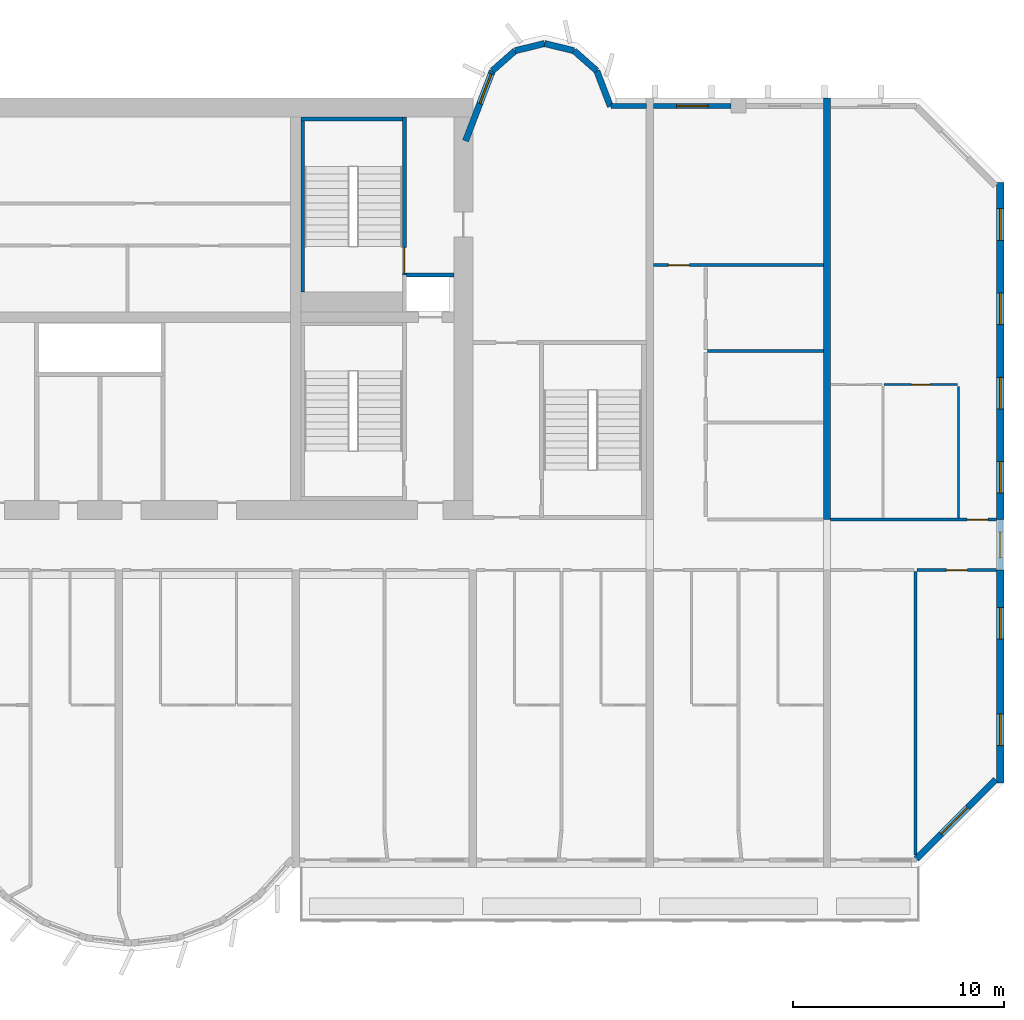
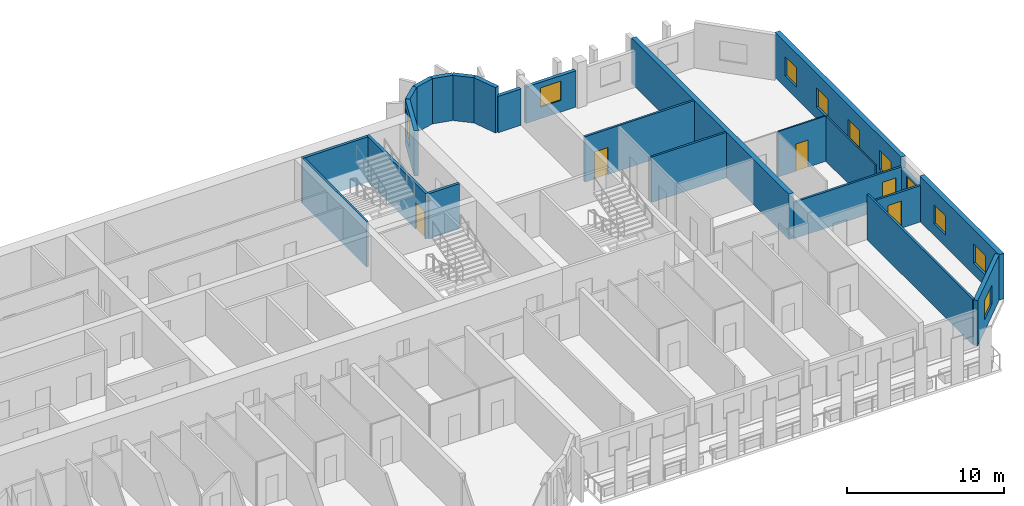
# One storey, part 10 of 14: 24 walls, 10 windows, 5 doors, 15 openings.
"""IFC4 building model written with IfcOpenShell, lengths in metres."""

from ifc_helpers import new_model, si_unit, direction, frame, frame_2d, origin, place, context, subcontext, project, spatial, rectangle, extrude, source, transform, mapped, material, layer, layer_set, type_object, element, fill, save


model = new_model("IFC4")

# Units and contexts
model_context = context("Model", 3, precision=1e-05, world=origin(), true_north=direction((0.0, 1.0)))
body_context = subcontext(model_context, "Body", "Model", "MODEL_VIEW")
ifc_project = project(units=[si_unit("LENGTHUNIT", "METRE"), si_unit("AREAUNIT", "SQUARE_METRE"), si_unit("VOLUMEUNIT", "CUBIC_METRE"), si_unit("PLANEANGLEUNIT", "RADIAN"), si_unit("MASSUNIT", "GRAM", prefix="KILO")], contexts=[model_context])

# Site, building, storey
site_placement = place(None, origin())
site = spatial("IfcSite", under=ifc_project, at=site_placement, CompositionType="ELEMENT")
building_placement = place(site_placement, origin())
building = spatial("IfcBuilding", under=site, at=building_placement, Name="Vanashikhar Sky Hotel", CompositionType="ELEMENT")
storey_placement = place(building_placement, frame((0.0, 0.0, 129.39990234375)))
storey = spatial("IfcBuildingStorey", under=building, at=storey_placement, Name="L31", CompositionType="ELEMENT", Elevation=129.39990234375)

# Wall, openings, windows
ifc_material_1 = material(Name="Concrete M70", Category="concrete")
ifc_layer_1 = layer(ifc_material_1, 0.35009765625)
ifc_layer_set_1 = layer_set([ifc_layer_1], Name="RC shear wall 350 Concrete M70")
wall_type_1 = type_object("IfcWallType", Name="RC shear wall 350 Concrete M70", PredefinedType="SHEAR", material=ifc_layer_set_1)
shared_shape_1 = source(origin(), body_context, "Body", "SweptSolid", [
    extrude(rectangle(XDim=10.10009765625, YDim=0.35009765625, at=frame_2d((5.050048828125, 0.0))), origin(), (0.0, 0.0, 1.0), 3.52001953125),
])
wall_1_placement = place(storey_placement, frame((100.625, 9.5, 0.0), z_axis=(0.0, 0.0, 1.0), x_axis=(0.0, 1.0, 0.0)))
wall_1 = element("IfcWall", 1, at=wall_1_placement, inside=storey, type_object=wall_type_1, Name="CW-L31-XW13-1", PredefinedType="SHEAR", context=body_context, shape_type="MappedRepresentation", body=[
    mapped(shared_shape_1, transform((0.0, 0.0, 0.0), scale=1.0)),
])
shared_shape_2 = source(origin(), body_context, "Body", "SweptSolid", [
    extrude(rectangle(XDim=1.5, YDim=1.5, at=frame_2d((0.75, 0.75))), frame((0.0, 0.18505859375, 0.0), z_axis=(0.0, -1.0, 0.0), x_axis=(1.0, 0.0, 0.0)), (0.0, 0.0, 1.0), 0.3701171875),
])
opening_1_placement = place(wall_1_placement, frame((1.77490234375, 0.0, 0.89990234375)))
opening_1 = element("IfcOpeningElement", 2, at=opening_1_placement, cuts=wall_1, Name="Opening WN-1", PredefinedType="OPENING", context=body_context, shape_type="MappedRepresentation", body=[
    mapped(shared_shape_2, transform((0.0, 0.0, 0.0), scale=1.0)),
])
opening_2_placement = place(wall_1_placement, frame((6.824951171875, 0.0, 0.89990234375)))
opening_2 = element("IfcOpeningElement", 3, at=opening_2_placement, cuts=wall_1, Name="Opening WN-1", PredefinedType="OPENING", context=body_context, shape_type="MappedRepresentation", body=[
    mapped(shared_shape_2, transform((0.0, 0.0, 0.0), scale=1.0)),
])
ifc_material_2 = material(Name="Glass", Category="glass")
window_type_1 = type_object("IfcWindowType", Name="Window 1500 x 1500", PartitioningType="SINGLE_PANEL", PredefinedType="WINDOW", material=ifc_material_2)
shared_shape_3 = source(origin(), body_context, "Body", "SweptSolid", [
    extrude(rectangle(XDim=1.5, YDim=1.5, at=frame_2d((0.75, 0.75))), frame((0.0, 0.030029296875, 0.0), z_axis=(0.0, -1.0, 0.0), x_axis=(1.0, 0.0, 0.0)), (0.0, 0.0, 1.0), 0.06005859375),
])
window_1_placement = place(opening_1_placement, origin())
window_1 = element("IfcWindow", 4, at=window_1_placement, inside=storey, type_object=window_type_1, Name="Window WN-1", OverallHeight=1.5, OverallWidth=1.5, PartitioningType="SINGLE_PANEL", PredefinedType="WINDOW", context=body_context, shape_type="MappedRepresentation", body=[
    mapped(shared_shape_3, transform((0.0, 0.0, 0.0), scale=1.0)),
])
fill(opening_1, window_1)
window_2_placement = place(opening_2_placement, origin())
window_2 = element("IfcWindow", 5, at=window_2_placement, inside=storey, type_object=window_type_1, Name="Window WN-1", OverallHeight=1.5, OverallWidth=1.5, PartitioningType="SINGLE_PANEL", PredefinedType="WINDOW", context=body_context, shape_type="MappedRepresentation", body=[
    mapped(shared_shape_3, transform((0.0, 0.0, 0.0), scale=1.0)),
])
fill(opening_2, window_2)

shared_shape_4 = source(origin(), body_context, "Body", "SweptSolid", [
    extrude(rectangle(XDim=16.0, YDim=0.35009765625, at=frame_2d((8.0, 0.0))), origin(), (0.0, 0.0, 1.0), 3.52001953125),
])
wall_2_placement = place(storey_placement, frame((100.625, 22.0, 0.0), z_axis=(0.0, 0.0, 1.0), x_axis=(0.0, 1.0, 0.0)))
wall_2 = element("IfcWall", 6, at=wall_2_placement, inside=storey, type_object=wall_type_1, Name="CW-L31-XW13-2", PredefinedType="SHEAR", context=body_context, shape_type="MappedRepresentation", body=[
    mapped(shared_shape_4, transform((0.0, 0.0, 0.0), scale=1.0)),
])
opening_3_placement = place(wall_2_placement, frame((1.25, 0.0, 0.89990234375)))
opening_3 = element("IfcOpeningElement", 7, at=opening_3_placement, cuts=wall_2, Name="Opening WN-1", PredefinedType="OPENING", context=body_context, shape_type="MappedRepresentation", body=[
    mapped(shared_shape_2, transform((0.0, 0.0, 0.0), scale=1.0)),
])
opening_4_placement = place(wall_2_placement, frame((5.25, 0.0, 0.89990234375)))
opening_4 = element("IfcOpeningElement", 8, at=opening_4_placement, cuts=wall_2, Name="Opening WN-1", PredefinedType="OPENING", context=body_context, shape_type="MappedRepresentation", body=[
    mapped(shared_shape_2, transform((0.0, 0.0, 0.0), scale=1.0)),
])
opening_5_placement = place(wall_2_placement, frame((9.25, 0.0, 0.89990234375)))
opening_5 = element("IfcOpeningElement", 9, at=opening_5_placement, cuts=wall_2, Name="Opening WN-1", PredefinedType="OPENING", context=body_context, shape_type="MappedRepresentation", body=[
    mapped(shared_shape_2, transform((0.0, 0.0, 0.0), scale=1.0)),
])
opening_6_placement = place(wall_2_placement, frame((13.25, 0.0, 0.89990234375)))
opening_6 = element("IfcOpeningElement", 10, at=opening_6_placement, cuts=wall_2, Name="Opening WN-1", PredefinedType="OPENING", context=body_context, shape_type="MappedRepresentation", body=[
    mapped(shared_shape_2, transform((0.0, 0.0, 0.0), scale=1.0)),
])
window_3_placement = place(opening_3_placement, origin())
window_3 = element("IfcWindow", 11, at=window_3_placement, inside=storey, type_object=window_type_1, Name="Window WN-1", OverallHeight=1.5, OverallWidth=1.5, PartitioningType="SINGLE_PANEL", PredefinedType="WINDOW", context=body_context, shape_type="MappedRepresentation", body=[
    mapped(shared_shape_3, transform((0.0, 0.0, 0.0), scale=1.0)),
])
fill(opening_3, window_3)
window_4_placement = place(opening_4_placement, origin())
window_4 = element("IfcWindow", 12, at=window_4_placement, inside=storey, type_object=window_type_1, Name="Window WN-1", OverallHeight=1.5, OverallWidth=1.5, PartitioningType="SINGLE_PANEL", PredefinedType="WINDOW", context=body_context, shape_type="MappedRepresentation", body=[
    mapped(shared_shape_3, transform((0.0, 0.0, 0.0), scale=1.0)),
])
fill(opening_4, window_4)
window_5_placement = place(opening_5_placement, origin())
window_5 = element("IfcWindow", 13, at=window_5_placement, inside=storey, type_object=window_type_1, Name="Window WN-1", OverallHeight=1.5, OverallWidth=1.5, PartitioningType="SINGLE_PANEL", PredefinedType="WINDOW", context=body_context, shape_type="MappedRepresentation", body=[
    mapped(shared_shape_3, transform((0.0, 0.0, 0.0), scale=1.0)),
])
fill(opening_5, window_5)
window_6_placement = place(opening_6_placement, origin())
window_6 = element("IfcWindow", 14, at=window_6_placement, inside=storey, type_object=window_type_1, Name="Window WN-1", OverallHeight=1.5, OverallWidth=1.5, PartitioningType="SINGLE_PANEL", PredefinedType="WINDOW", context=body_context, shape_type="MappedRepresentation", body=[
    mapped(shared_shape_3, transform((0.0, 0.0, 0.0), scale=1.0)),
])
fill(opening_6, window_6)

# Wall
shared_shape_5 = source(origin(), body_context, "Body", "SweptSolid", [
    extrude(rectangle(XDim=20.0, YDim=0.35009765625, at=frame_2d((10.0, 0.0))), origin(), (0.0, 0.0, 1.0), 3.52001953125),
])
wall_3_placement = place(storey_placement, frame((92.39990234375, 22.0, 0.0), z_axis=(0.0, 0.0, 1.0), x_axis=(0.0, 1.0, 0.0)))
element("IfcWall", 15, at=wall_3_placement, inside=storey, type_object=wall_type_1, Name="CW-L31-XW12-2", PredefinedType="SHEAR", context=body_context, shape_type="MappedRepresentation", body=[
    mapped(shared_shape_5, transform((0.0, 0.0, 0.0), scale=1.0)),
])

# Wall, opening, window
ifc_material_3 = material(Name="Concrete M50", Category="concrete")
ifc_layer_2 = layer(ifc_material_3, 0.300048828125)
ifc_layer_set_2 = layer_set([ifc_layer_2], Name="Lobe wall 300")
wall_type_2 = type_object("IfcWallType", Name="Lobe wall 300", PredefinedType="SOLIDWALL", material=ifc_layer_set_2)
shared_shape_6 = source(origin(), body_context, "Body", "SweptSolid", [
    extrude(rectangle(XDim=5.32568359375, YDim=0.300048828125, at=frame_2d((2.662841796875, 0.0))), origin(), (0.0, 0.0, 1.0), 3.52001953125),
])
wall_4_placement = place(storey_placement, frame((96.63427734375, 5.89990234375, 0.0), z_axis=(0.0, 0.0, 1.0), x_axis=(0.707083859269, 0.707129702361, 0.0)))
wall_4 = element("IfcWall", 16, at=wall_4_placement, inside=storey, type_object=wall_type_2, Name="Corner wall", PredefinedType="SOLIDWALL", context=body_context, shape_type="MappedRepresentation", body=[
    mapped(shared_shape_6, transform((0.0, 0.0, 0.0), scale=1.0)),
])
shared_shape_7 = source(origin(), body_context, "Body", "SweptSolid", [
    extrude(rectangle(XDim=1.800048828125, YDim=1.5, at=frame_2d((0.89990234375, 0.75))), frame((0.0, 0.16015625, 0.0), z_axis=(0.0, -1.0, 0.0), x_axis=(1.0, 0.0, 0.0)), (0.0, 0.0, 1.0), 0.320068359375),
])
opening_7_placement = place(wall_4_placement, frame((1.671875, 0.0, 0.89990234375)))
opening_7 = element("IfcOpeningElement", 17, at=opening_7_placement, cuts=wall_4, Name="Opening WN-4", PredefinedType="OPENING", context=body_context, shape_type="MappedRepresentation", body=[
    mapped(shared_shape_7, transform((0.0, 0.0, 0.0), scale=1.0)),
])
window_type_2 = type_object("IfcWindowType", Name="Corner window 1800 x 1500", PartitioningType="SINGLE_PANEL", PredefinedType="WINDOW", material=ifc_material_2)
shared_shape_8 = source(origin(), body_context, "Body", "SweptSolid", [
    extrude(rectangle(XDim=1.800048828125, YDim=1.5, at=frame_2d((0.89990234375, 0.75))), frame((0.0, 0.030029296875, 0.0), z_axis=(0.0, -1.0, 0.0), x_axis=(1.0, 0.0, 0.0)), (0.0, 0.0, 1.0), 0.06005859375),
])
window_7_placement = place(opening_7_placement, origin())
window_7 = element("IfcWindow", 18, at=window_7_placement, inside=storey, type_object=window_type_2, Name="Window WN-4", OverallHeight=1.5, OverallWidth=1.800048828125, PartitioningType="SINGLE_PANEL", PredefinedType="WINDOW", context=body_context, shape_type="MappedRepresentation", body=[
    mapped(shared_shape_8, transform((0.0, 0.0, 0.0), scale=1.0)),
])
fill(opening_7, window_7)

shared_shape_9 = source(origin(), body_context, "Body", "SweptSolid", [
    extrude(rectangle(XDim=3.55908203125, YDim=0.300048828125, at=frame_2d((1.779541015625, 0.0))), origin(), (0.0, 0.0, 1.0), 3.52001953125),
])
wall_5_placement = place(storey_placement, frame((76.5234375, 43.2919921875, 0.0), z_axis=(0.0, 0.0, 1.0), x_axis=(-0.35779745313, -0.933799219604, 0.0)))
wall_5 = element("IfcWall", 19, at=wall_5_placement, inside=storey, type_object=wall_type_2, Name="Lobe wall", PredefinedType="SOLIDWALL", context=body_context, shape_type="MappedRepresentation", body=[
    mapped(shared_shape_9, transform((0.0, 0.0, 0.0), scale=1.0)),
])
shared_shape_10 = source(origin(), body_context, "Body", "SweptSolid", [
    extrude(rectangle(XDim=1.5, YDim=2.0, at=frame_2d((0.75, 1.0))), frame((0.0, 0.16015625, 0.0), z_axis=(0.0, -1.0, 0.0), x_axis=(1.0, 0.0, 0.0)), (0.0, 0.0, 1.0), 0.320068359375),
])
opening_8_placement = place(wall_5_placement, frame((0.156005859375, 0.0, 0.89990234375)))
opening_8 = element("IfcOpeningElement", 20, at=opening_8_placement, cuts=wall_5, Name="Opening WN-2", PredefinedType="OPENING", context=body_context, shape_type="MappedRepresentation", body=[
    mapped(shared_shape_10, transform((0.0, 0.0, 0.0), scale=1.0)),
])
window_type_3 = type_object("IfcWindowType", Name="Lobe window 1500 x 2000", PartitioningType="SINGLE_PANEL", PredefinedType="WINDOW", material=ifc_material_2)
shared_shape_11 = source(origin(), body_context, "Body", "SweptSolid", [
    extrude(rectangle(XDim=1.5, YDim=2.0, at=frame_2d((0.75, 1.0))), frame((0.0, 0.030029296875, 0.0), z_axis=(0.0, -1.0, 0.0), x_axis=(1.0, 0.0, 0.0)), (0.0, 0.0, 1.0), 0.06005859375),
])
window_8_placement = place(opening_8_placement, origin())
window_8 = element("IfcWindow", 21, at=window_8_placement, inside=storey, type_object=window_type_3, Name="Window WN-2", OverallHeight=2.0, OverallWidth=1.5, PartitioningType="SINGLE_PANEL", PredefinedType="WINDOW", context=body_context, shape_type="MappedRepresentation", body=[
    mapped(shared_shape_11, transform((0.0, 0.0, 0.0), scale=1.0)),
])
fill(opening_8, window_8)

# Walls
shared_shape_12 = source(origin(), body_context, "Body", "SweptSolid", [
    extrude(rectangle(XDim=1.438720703125, YDim=0.300048828125, at=frame_2d((0.71923828125, 0.0))), origin(), (0.0, 0.0, 1.0), 3.52001953125),
])
for number, where, z_axis, x_axis, name in (
    (22, (80.397216796875, 44.2451171875, 0.0), (0.0, 0.0, 1.0), (-0.971161932466, 0.238420848351, 0.0), "Lobe wall"),
    (23, (79.0, 44.588134765625, 0.0), (0.0, 0.0, 1.0), (-0.971161932466, -0.238420848351, 0.0), "Lobe wall"),
):
    element("IfcWall", number, at=place(storey_placement, frame(where, z_axis=z_axis, x_axis=x_axis)), inside=storey, type_object=wall_type_2, Name=name, PredefinedType="SOLIDWALL", context=body_context, shape_type="MappedRepresentation", body=[
        mapped(shared_shape_12, transform((0.0, 0.0, 0.0), scale=1.0)),
    ])
shared_shape_13 = source(origin(), body_context, "Body", "SweptSolid", [
    extrude(rectangle(XDim=1.43994140625, YDim=0.300048828125, at=frame_2d((0.719970703125, 0.0))), origin(), (0.0, 0.0, 1.0), 3.52001953125),
])
for number, where, z_axis, x_axis, name in (
    (24, (81.4765625, 43.2919921875, 0.0), (0.0, 0.0, 1.0), (-0.74957555648, 0.661918790432, 0.0), "Lobe wall"),
    (25, (77.602783203125, 44.2451171875, 0.0), (0.0, 0.0, 1.0), (-0.74957555648, -0.661918790432, 0.0), "Lobe wall"),
):
    element("IfcWall", number, at=place(storey_placement, frame(where, z_axis=z_axis, x_axis=x_axis)), inside=storey, type_object=wall_type_2, Name=name, PredefinedType="SOLIDWALL", context=body_context, shape_type="MappedRepresentation", body=[
        mapped(shared_shape_13, transform((0.0, 0.0, 0.0), scale=1.0)),
    ])
shared_shape_14 = source(origin(), body_context, "Body", "SweptSolid", [
    extrude(rectangle(XDim=1.81201171875, YDim=0.300048828125, at=frame_2d((0.906005859375, 0.0))), origin(), (0.0, 0.0, 1.0), 3.52001953125),
])
wall_6_placement = place(storey_placement, frame((82.125, 41.60009765625, 0.0), z_axis=(0.0, 0.0, 1.0), x_axis=(-0.357877270961, 0.93376863244, 0.0)))
element("IfcWall", 26, at=wall_6_placement, inside=storey, type_object=wall_type_2, Name="Lobe wall", PredefinedType="SOLIDWALL", context=body_context, shape_type="MappedRepresentation", body=[
    mapped(shared_shape_14, transform((0.0, 0.0, 0.0), scale=1.0)),
])

# Wall, opening, window
ifc_layer_3 = layer(ifc_material_3, 0.25)
ifc_layer_set_3 = layer_set([ifc_layer_3], Name="Rear and end board-marked wall 250")
wall_type_3 = type_object("IfcWallType", Name="Rear and end board-marked wall 250", PredefinedType="SOLIDWALL", material=ifc_layer_set_3)
shared_shape_15 = source(origin(), body_context, "Body", "SweptSolid", [
    extrude(rectangle(XDim=2.39990234375, YDim=0.25, at=frame_2d((1.199951171875, 0.0))), origin(), (0.0, 0.0, 1.0), 2.6201171875),
])
wall_7_placement = place(storey_placement, frame((100.625, 19.60009765625, 0.0), z_axis=(0.0, 0.0, 1.0), x_axis=(0.0, 1.0, 0.0)))
wall_7 = element("IfcWall", 27, at=wall_7_placement, inside=storey, type_object=wall_type_3, Name="End corridor infill wall", PredefinedType="SOLIDWALL", context=body_context, shape_type="MappedRepresentation", body=[
    mapped(shared_shape_15, transform((0.0, 0.0, 0.0), scale=1.0)),
])
shared_shape_16 = source(origin(), body_context, "Body", "SweptSolid", [
    extrude(rectangle(XDim=1.199951171875, YDim=1.5, at=frame_2d((0.60009765625, 0.75))), frame((0.0, 0.135009765625, 0.0), z_axis=(0.0, -1.0, 0.0), x_axis=(1.0, 0.0, 0.0)), (0.0, 0.0, 1.0), 0.27001953125),
])
opening_9_placement = place(wall_7_placement, frame((0.60009765625, 0.0, 0.89990234375)))
opening_9 = element("IfcOpeningElement", 28, at=opening_9_placement, cuts=wall_7, Name="Opening WN-3", PredefinedType="OPENING", context=body_context, shape_type="MappedRepresentation", body=[
    mapped(shared_shape_16, transform((0.0, 0.0, 0.0), scale=1.0)),
])
window_type_4 = type_object("IfcWindowType", Name="Corridor end window 1200 x 1500", PartitioningType="SINGLE_PANEL", PredefinedType="WINDOW", material=ifc_material_2)
shared_shape_17 = source(origin(), body_context, "Body", "SweptSolid", [
    extrude(rectangle(XDim=1.199951171875, YDim=1.5, at=frame_2d((0.60009765625, 0.75))), frame((0.0, 0.030029296875, 0.0), z_axis=(0.0, -1.0, 0.0), x_axis=(1.0, 0.0, 0.0)), (0.0, 0.0, 1.0), 0.06005859375),
])
window_9_placement = place(opening_9_placement, origin())
window_9 = element("IfcWindow", 29, at=window_9_placement, inside=storey, type_object=window_type_4, Name="Window WN-3", OverallHeight=1.5, OverallWidth=1.199951171875, PartitioningType="SINGLE_PANEL", PredefinedType="WINDOW", context=body_context, shape_type="MappedRepresentation", body=[
    mapped(shared_shape_17, transform((0.0, 0.0, 0.0), scale=1.0)),
])
fill(opening_9, window_9)

shared_shape_18 = source(origin(), body_context, "Body", "SweptSolid", [
    extrude(rectangle(XDim=3.675048828125, YDim=0.25, at=frame_2d((1.83740234375, 0.0))), origin(), (0.0, 0.0, 1.0), 2.820068359375),
])
wall_8_placement = place(storey_placement, frame((87.85009765625, 41.625, 0.0), z_axis=(0.0, 0.0, 1.0), x_axis=(-1.0, 0.0, 0.0)))
wall_8 = element("IfcWall", 30, at=wall_8_placement, inside=storey, type_object=wall_type_3, Name="Rear board-marked wall", PredefinedType="SOLIDWALL", context=body_context, shape_type="MappedRepresentation", body=[
    mapped(shared_shape_18, transform((0.0, 0.0, 0.0), scale=1.0)),
])
shared_shape_19 = source(origin(), body_context, "Body", "SweptSolid", [
    extrude(rectangle(XDim=1.5, YDim=1.5, at=frame_2d((0.75, 0.75))), frame((0.0, 0.135009765625, 0.0), z_axis=(0.0, -1.0, 0.0), x_axis=(1.0, 0.0, 0.0)), (0.0, 0.0, 1.0), 0.27001953125),
])
opening_10_placement = place(wall_8_placement, frame((1.08740234375, 0.0, 0.89990234375)))
opening_10 = element("IfcOpeningElement", 31, at=opening_10_placement, cuts=wall_8, Name="Opening WN-1", PredefinedType="OPENING", context=body_context, shape_type="MappedRepresentation", body=[
    mapped(shared_shape_19, transform((0.0, 0.0, 0.0), scale=1.0)),
])
window_10_placement = place(opening_10_placement, origin())
window_10 = element("IfcWindow", 32, at=window_10_placement, inside=storey, type_object=window_type_1, Name="Window WN-1", OverallHeight=1.5, OverallWidth=1.5, PartitioningType="SINGLE_PANEL", PredefinedType="WINDOW", context=body_context, shape_type="MappedRepresentation", body=[
    mapped(shared_shape_3, transform((0.0, 0.0, 0.0), scale=1.0)),
])
fill(opening_10, window_10)

# Wall
shared_shape_20 = source(origin(), body_context, "Body", "SweptSolid", [
    extrude(rectangle(XDim=1.682861328125, YDim=0.25, at=frame_2d((0.84130859375, 0.0))), origin(), (0.0, 0.0, 1.0), 2.820068359375),
])
wall_9_placement = place(storey_placement, frame((83.824951171875, 41.625, 0.0), z_axis=(0.0, 0.0, 1.0), x_axis=(-1.0, 0.0, 0.0)))
element("IfcWall", 33, at=wall_9_placement, inside=storey, type_object=wall_type_3, Name="Rear board-marked wall", PredefinedType="SOLIDWALL", context=body_context, shape_type="MappedRepresentation", body=[
    mapped(shared_shape_20, transform((0.0, 0.0, 0.0), scale=1.0)),
])

# Wall, opening, door
ifc_layer_4 = layer(ifc_material_3, 0.199951171875)
ifc_layer_set_4 = layer_set([ifc_layer_4], Name="Stair wall 200")
wall_type_4 = type_object("IfcWallType", Name="Stair wall 200", PredefinedType="SOLIDWALL", material=ifc_layer_set_4)
shared_shape_21 = source(origin(), body_context, "Body", "SweptSolid", [
    extrude(rectangle(XDim=7.5, YDim=0.199951171875, at=frame_2d((3.75, 0.0))), origin(), (0.0, 0.0, 1.0), 3.52001953125),
])
wall_10_placement = place(storey_placement, frame((72.35009765625, 33.60009765625, 0.0), z_axis=(0.0, 0.0, 1.0), x_axis=(0.0, 1.0, 0.0)))
wall_10 = element("IfcWall", 34, at=wall_10_placement, inside=storey, type_object=wall_type_4, Name="Stair wall 200", PredefinedType="SOLIDWALL", context=body_context, shape_type="MappedRepresentation", body=[
    mapped(shared_shape_21, transform((0.0, 0.0, 0.0), scale=1.0)),
])
shared_shape_22 = source(origin(), body_context, "Body", "SweptSolid", [
    extrude(rectangle(XDim=1.199951171875, YDim=2.10009765625, at=frame_2d((0.60009765625, 1.050048828125))), frame((0.0, 0.10986328125, 0.0), z_axis=(0.0, -1.0, 0.0), x_axis=(1.0, 0.0, 0.0)), (0.0, 0.0, 1.0), 0.219970703125),
])
opening_11_placement = place(wall_10_placement, frame((0.10009765625, 0.0, 0.0)))
opening_11 = element("IfcOpeningElement", 35, at=opening_11_placement, cuts=wall_10, Name="Opening DC-1", PredefinedType="OPENING", context=body_context, shape_type="MappedRepresentation", body=[
    mapped(shared_shape_22, transform((0.0, 0.0, 0.0), scale=1.0)),
])
ifc_material_4 = material(Name="Steel", Category="steel")
door_type_1 = type_object("IfcDoorType", Name="Stair door 1200 FD120", OperationType="NOTDEFINED", PredefinedType="DOOR", material=ifc_material_4)
shared_shape_23 = source(origin(), body_context, "Body", "SweptSolid", [
    extrude(rectangle(XDim=1.199951171875, YDim=2.10009765625, at=frame_2d((0.60009765625, 1.050048828125))), frame((0.0, 0.02490234375, 0.0), z_axis=(0.0, -1.0, 0.0), x_axis=(1.0, 0.0, 0.0)), (0.0, 0.0, 1.0), 0.050048828125),
])
door_1_placement = place(opening_11_placement, origin())
door_1 = element("IfcDoor", 36, at=door_1_placement, inside=storey, type_object=door_type_1, Name="Stair door 1200 FD120", OperationType="SINGLE_SWING_LEFT", OverallHeight=2.10009765625, OverallWidth=1.199951171875, PredefinedType="DOOR", context=body_context, shape_type="MappedRepresentation", body=[
    mapped(shared_shape_23, transform((0.0, 0.0, 0.0), scale=1.0)),
])
fill(opening_11, door_1)

# Walls
ifc_material_5 = material(Name="Concrete M40", Category="concrete")
ifc_layer_5 = layer(ifc_material_5, 0.199951171875)
ifc_layer_set_5 = layer_set([ifc_layer_5], Name="Shaft wall 200")
wall_type_5 = type_object("IfcWallType", Name="Shaft wall 200", PredefinedType="SOLIDWALL", material=ifc_layer_set_5)
shared_shape_24 = source(origin(), body_context, "Body", "SweptSolid", [
    extrude(rectangle(XDim=2.25, YDim=0.199951171875, at=frame_2d((1.125, 0.0))), origin(), (0.0, 0.0, 1.0), 3.52001953125),
])
wall_11_placement = place(storey_placement, frame((72.449951171875, 33.60009765625, 0.0), z_axis=(0.0, 0.0, 1.0), x_axis=(1.0, 0.0, 0.0)))
element("IfcWall", 37, at=wall_11_placement, inside=storey, type_object=wall_type_5, Name="Shaft wall 200", PredefinedType="SOLIDWALL", context=body_context, shape_type="MappedRepresentation", body=[
    mapped(shared_shape_24, transform((0.0, 0.0, 0.0), scale=1.0)),
])
ifc_layer_6 = layer(ifc_material_3, 0.199951171875)
ifc_layer_set_6 = layer_set([ifc_layer_6], Name="Stair infill wall 200")
wall_type_6 = type_object("IfcWallType", Name="Stair infill wall 200", PredefinedType="SOLIDWALL", material=ifc_layer_set_6)
shared_shape_25 = source(origin(), body_context, "Body", "SweptSolid", [
    extrude(rectangle(XDim=4.800048828125, YDim=0.199951171875, at=frame_2d((2.39990234375, 0.0))), origin(), (0.0, 0.0, 1.0), 3.52001953125),
])
wall_12_placement = place(storey_placement, frame((67.449951171875, 41.0, 0.0), z_axis=(0.0, 0.0, 1.0), x_axis=(1.0, 0.0, 0.0)))
element("IfcWall", 38, at=wall_12_placement, inside=storey, type_object=wall_type_6, Name="Stair infill wall 200", PredefinedType="SOLIDWALL", context=body_context, shape_type="MappedRepresentation", body=[
    mapped(shared_shape_25, transform((0.0, 0.0, 0.0), scale=1.0)),
])
ifc_layer_7 = layer(ifc_material_3, 0.14990234375)
ifc_layer_set_7 = layer_set([ifc_layer_7], Name="Stair infill wall 150")
wall_type_7 = type_object("IfcWallType", Name="Stair infill wall 150", PredefinedType="SOLIDWALL", material=ifc_layer_set_7)
shared_shape_26 = source(origin(), body_context, "Body", "SweptSolid", [
    extrude(rectangle(XDim=8.099853515625, YDim=0.14990234375, at=frame_2d((4.0498046875, 0.0))), origin(), (0.0, 0.0, 1.0), 3.52001953125),
])
wall_13_placement = place(storey_placement, frame((67.52490234375, 32.800048828125, 0.0), z_axis=(0.0, 0.0, 1.0), x_axis=(0.0, 1.0, 0.0)))
element("IfcWall", 39, at=wall_13_placement, inside=storey, type_object=wall_type_7, Name="Stair infill wall 150", PredefinedType="SOLIDWALL", context=body_context, shape_type="MappedRepresentation", body=[
    mapped(shared_shape_26, transform((0.0, 0.0, 0.0), scale=1.0)),
])

# Wall, opening, door
ifc_material_6 = material(Name="Gypsum plasterboard partition")
ifc_layer_8 = layer(ifc_material_6, 0.10009765625)
ifc_layer_set_8 = layer_set([ifc_layer_8], Name="Wet room partition 100")
wall_type_8 = type_object("IfcWallType", Name="Wet room partition 100", PredefinedType="PARTITIONING", material=ifc_layer_set_8)
shared_shape_27 = source(origin(), body_context, "Body", "SweptSolid", [
    extrude(rectangle(XDim=3.5, YDim=0.10009765625, at=frame_2d((1.75, 0.0))), origin(), (0.0, 0.0, 1.0), 3.52001953125),
])
wall_14_placement = place(storey_placement, frame((95.10009765625, 28.39990234375, 0.0), z_axis=(0.0, 0.0, 1.0), x_axis=(1.0, 0.0, 0.0)))
wall_14 = element("IfcWall", 40, at=wall_14_placement, inside=storey, type_object=wall_type_8, Name="W-L31-PW092", PredefinedType="PARTITIONING", context=body_context, shape_type="MappedRepresentation", body=[
    mapped(shared_shape_27, transform((0.0, 0.0, 0.0), scale=1.0)),
])
shared_shape_28 = source(origin(), body_context, "Body", "SweptSolid", [
    extrude(rectangle(XDim=0.89990234375, YDim=2.10009765625, at=frame_2d((0.449951171875, 1.050048828125))), frame((0.0, 0.06005859375, 0.0), z_axis=(0.0, -1.0, 0.0), x_axis=(1.0, 0.0, 0.0)), (0.0, 0.0, 1.0), 0.1201171875),
])
opening_12_placement = place(wall_14_placement, frame((1.300048828125, 0.0, 0.0)))
opening_12 = element("IfcOpeningElement", 41, at=opening_12_placement, cuts=wall_14, Name="Opening D-02", PredefinedType="OPENING", context=body_context, shape_type="MappedRepresentation", body=[
    mapped(shared_shape_28, transform((0.0, 0.0, 0.0), scale=1.0)),
])
ifc_material_7 = material(Name="Timber door", Category="wood")
door_type_2 = type_object("IfcDoorType", Name="Internal door 900", OperationType="NOTDEFINED", PredefinedType="DOOR", material=ifc_material_7)
shared_shape_29 = source(origin(), body_context, "Body", "SweptSolid", [
    extrude(rectangle(XDim=0.89990234375, YDim=2.10009765625, at=frame_2d((0.449951171875, 1.050048828125))), frame((0.0, 0.02490234375, 0.0), z_axis=(0.0, -1.0, 0.0), x_axis=(1.0, 0.0, 0.0)), (0.0, 0.0, 1.0), 0.050048828125),
])
door_2_placement = place(opening_12_placement, origin())
door_2 = element("IfcDoor", 42, at=door_2_placement, inside=storey, type_object=door_type_2, Name="D-L31-052", OperationType="SINGLE_SWING_RIGHT", OverallHeight=2.10009765625, OverallWidth=0.89990234375, PredefinedType="DOOR", context=body_context, shape_type="MappedRepresentation", body=[
    mapped(shared_shape_29, transform((0.0, 0.0, 0.0), scale=1.0)),
])
fill(opening_12, door_2)

# Wall
shared_shape_30 = source(origin(), body_context, "Body", "SweptSolid", [
    extrude(rectangle(XDim=6.25, YDim=0.10009765625, at=frame_2d((3.125, 0.0))), origin(), (0.0, 0.0, 1.0), 3.52001953125),
])
wall_15_placement = place(storey_placement, frame((98.64990234375, 22.074951171875, 0.0), z_axis=(0.0, 0.0, 1.0), x_axis=(0.0, 1.0, 0.0)))
element("IfcWall", 43, at=wall_15_placement, inside=storey, type_object=wall_type_8, Name="W-L31-PW090", PredefinedType="PARTITIONING", context=body_context, shape_type="MappedRepresentation", body=[
    mapped(shared_shape_30, transform((0.0, 0.0, 0.0), scale=1.0)),
])

# Wall, opening, door
ifc_layer_9 = layer(ifc_material_6, 0.14990234375)
ifc_layer_set_9 = layer_set([ifc_layer_9], Name="Corridor and demising partition 150")
wall_type_9 = type_object("IfcWallType", Name="Corridor and demising partition 150", PredefinedType="PARTITIONING", material=ifc_layer_set_9)
shared_shape_31 = source(origin(), body_context, "Body", "SweptSolid", [
    extrude(rectangle(XDim=3.77490234375, YDim=0.14990234375, at=frame_2d((1.887451171875, 0.0))), origin(), (0.0, 0.0, 1.0), 2.820068359375),
])
wall_16_placement = place(storey_placement, frame((96.675048828125, 19.60009765625, 0.0), z_axis=(0.0, 0.0, 1.0), x_axis=(1.0, 0.0, 0.0)))
wall_16 = element("IfcWall", 44, at=wall_16_placement, inside=storey, type_object=wall_type_9, Name="W-L31-PW067", PredefinedType="PARTITIONING", context=body_context, shape_type="MappedRepresentation", body=[
    mapped(shared_shape_31, transform((0.0, 0.0, 0.0), scale=1.0)),
])
shared_shape_32 = source(origin(), body_context, "Body", "SweptSolid", [
    extrude(rectangle(XDim=1.0, YDim=2.10009765625, at=frame_2d((0.5, 1.050048828125))), frame((0.0, 0.0849609375, 0.0), z_axis=(0.0, -1.0, 0.0), x_axis=(1.0, 0.0, 0.0)), (0.0, 0.0, 1.0), 0.169921875),
])
opening_13_placement = place(wall_16_placement, frame((1.387939453125, 0.0, 0.0)))
opening_13 = element("IfcOpeningElement", 45, at=opening_13_placement, cuts=wall_16, Name="Opening D-01", PredefinedType="OPENING", context=body_context, shape_type="MappedRepresentation", body=[
    mapped(shared_shape_32, transform((0.0, 0.0, 0.0), scale=1.0)),
])
ifc_material_8 = material(Name="Timber fire door", Category="wood")
door_type_3 = type_object("IfcDoorType", Name="Guest entry door 1000 FD30S", OperationType="NOTDEFINED", PredefinedType="DOOR", material=ifc_material_8)
shared_shape_33 = source(origin(), body_context, "Body", "SweptSolid", [
    extrude(rectangle(XDim=1.0, YDim=2.10009765625, at=frame_2d((0.5, 1.050048828125))), frame((0.0, 0.02490234375, 0.0), z_axis=(0.0, -1.0, 0.0), x_axis=(1.0, 0.0, 0.0)), (0.0, 0.0, 1.0), 0.050048828125),
])
door_3_placement = place(opening_13_placement, origin())
door_3 = element("IfcDoor", 46, at=door_3_placement, inside=storey, type_object=door_type_3, Name="D-L31-040", OperationType="SINGLE_SWING_RIGHT", OverallHeight=2.10009765625, OverallWidth=1.0, PredefinedType="DOOR", context=body_context, shape_type="MappedRepresentation", body=[
    mapped(shared_shape_33, transform((0.0, 0.0, 0.0), scale=1.0)),
])
fill(opening_13, door_3)

# Walls
shared_shape_34 = source(origin(), body_context, "Body", "SweptSolid", [
    extrude(rectangle(XDim=13.447021484375, YDim=0.14990234375, at=frame_2d((6.7236328125, 0.0))), origin(), (0.0, 0.0, 1.0), 3.52001953125),
])
wall_17_placement = place(storey_placement, frame((96.60009765625, 6.077880859375, 0.0), z_axis=(0.0, 0.0, 1.0), x_axis=(0.0, 1.0, 0.0)))
element("IfcWall", 47, at=wall_17_placement, inside=storey, type_object=wall_type_9, Name="W-L31-PW068", PredefinedType="PARTITIONING", context=body_context, shape_type="MappedRepresentation", body=[
    mapped(shared_shape_34, transform((0.0, 0.0, 0.0), scale=1.0)),
])
shared_shape_35 = source(origin(), body_context, "Body", "SweptSolid", [
    extrude(rectangle(XDim=5.5, YDim=0.14990234375, at=frame_2d((2.75, 0.0))), origin(), (0.0, 0.0, 1.0), 3.52001953125),
])
wall_18_placement = place(storey_placement, frame((86.72509765625, 30.0, 0.0), z_axis=(0.0, 0.0, 1.0), x_axis=(1.0, 0.0, 0.0)))
element("IfcWall", 48, at=wall_18_placement, inside=storey, type_object=wall_type_9, Name="W-L31-PW087", PredefinedType="PARTITIONING", context=body_context, shape_type="MappedRepresentation", body=[
    mapped(shared_shape_35, transform((0.0, 0.0, 0.0), scale=1.0)),
])

# Wall, opening, door
shared_shape_36 = source(origin(), body_context, "Body", "SweptSolid", [
    extrude(rectangle(XDim=8.050048828125, YDim=0.14990234375, at=frame_2d((4.02490234375, 0.0))), origin(), (0.0, 0.0, 1.0), 3.52001953125),
])
wall_19_placement = place(storey_placement, frame((84.175048828125, 34.074951171875, 0.0), z_axis=(0.0, 0.0, 1.0), x_axis=(1.0, 0.0, 0.0)))
wall_19 = element("IfcWall", 49, at=wall_19_placement, inside=storey, type_object=wall_type_9, Name="W-L31-PW089", PredefinedType="PARTITIONING", context=body_context, shape_type="MappedRepresentation", body=[
    mapped(shared_shape_36, transform((0.0, 0.0, 0.0), scale=1.0)),
])
opening_14_placement = place(wall_19_placement, frame((0.699951171875, 0.0, 0.0)))
opening_14 = element("IfcOpeningElement", 50, at=opening_14_placement, cuts=wall_19, Name="Opening D-01", PredefinedType="OPENING", context=body_context, shape_type="MappedRepresentation", body=[
    mapped(shared_shape_32, transform((0.0, 0.0, 0.0), scale=1.0)),
])
door_4_placement = place(opening_14_placement, origin())
door_4 = element("IfcDoor", 51, at=door_4_placement, inside=storey, type_object=door_type_3, Name="D-L31-051", OperationType="SINGLE_SWING_LEFT", OverallHeight=2.10009765625, OverallWidth=1.0, PredefinedType="DOOR", context=body_context, shape_type="MappedRepresentation", body=[
    mapped(shared_shape_33, transform((0.0, 0.0, 0.0), scale=1.0)),
])
fill(opening_14, door_4)

shared_shape_37 = source(origin(), body_context, "Body", "SweptSolid", [
    extrude(rectangle(XDim=7.875, YDim=0.14990234375, at=frame_2d((3.9375, 0.0))), origin(), (0.0, 0.0, 1.0), 2.820068359375),
])
wall_20_placement = place(storey_placement, frame((92.574951171875, 22.0, 0.0), z_axis=(0.0, 0.0, 1.0), x_axis=(1.0, 0.0, 0.0)))
wall_20 = element("IfcWall", 52, at=wall_20_placement, inside=storey, type_object=wall_type_9, Name="W-L31-PW094", PredefinedType="PARTITIONING", context=body_context, shape_type="MappedRepresentation", body=[
    mapped(shared_shape_37, transform((0.0, 0.0, 0.0), scale=1.0)),
])
opening_15_placement = place(wall_20_placement, frame((6.47509765625, 0.0, 0.0)))
opening_15 = element("IfcOpeningElement", 53, at=opening_15_placement, cuts=wall_20, Name="Opening D-01", PredefinedType="OPENING", context=body_context, shape_type="MappedRepresentation", body=[
    mapped(shared_shape_32, transform((0.0, 0.0, 0.0), scale=1.0)),
])
door_5_placement = place(opening_15_placement, origin())
door_5 = element("IfcDoor", 54, at=door_5_placement, inside=storey, type_object=door_type_3, Name="D-L31-054", OperationType="SINGLE_SWING_RIGHT", OverallHeight=2.10009765625, OverallWidth=1.0, PredefinedType="DOOR", context=body_context, shape_type="MappedRepresentation", body=[
    mapped(shared_shape_33, transform((0.0, 0.0, 0.0), scale=1.0)),
])
fill(opening_15, door_5)

save(model, "model.ifc")
